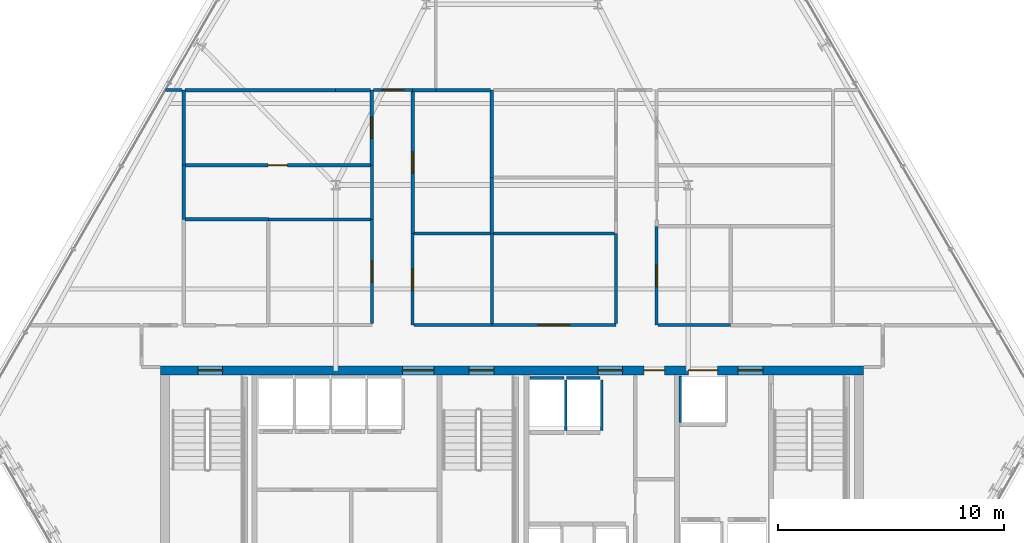
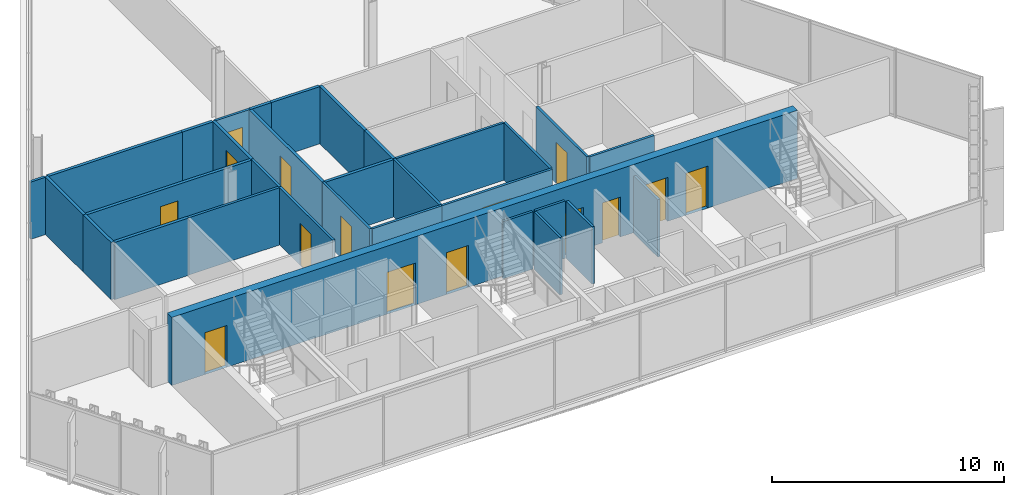
# One storey, part 28 of 34: 32 walls, 15 doors, 15 openings.
"""IFC4 building model written with IfcOpenShell, lengths in metres."""

from ifc_helpers import new_model, si_unit, direction, frame, frame_2d, origin, place, context, subcontext, project, spatial, rectangle, extrude, material, layer, layer_set, type_object, element, fill, save


model = new_model("IFC4")

# Units and contexts
model_context = context("Model", 3, precision=1e-05, world=origin(), true_north=direction((0.0, 1.0)))
body_context = subcontext(model_context, "Body", "Model", "MODEL_VIEW")
ifc_project = project(units=[si_unit("LENGTHUNIT", "METRE"), si_unit("AREAUNIT", "SQUARE_METRE"), si_unit("VOLUMEUNIT", "CUBIC_METRE"), si_unit("PLANEANGLEUNIT", "RADIAN"), si_unit("MASSUNIT", "GRAM", prefix="KILO")], contexts=[model_context])

# Site, building, storey
site_placement = place(None, origin())
site = spatial("IfcSite", under=ifc_project, at=site_placement, CompositionType="ELEMENT")
building_placement = place(site_placement, origin())
building = spatial("IfcBuilding", under=site, at=building_placement, Name="Ndaravel Arena Tower", CompositionType="ELEMENT")
storey_placement = place(building_placement, frame((0.0, 0.0, 191.60009765625)))
storey = spatial("IfcBuildingStorey", under=building, at=storey_placement, Name="L46", CompositionType="ELEMENT", Elevation=191.60009765625)

# Wall, openings, doors
ifc_material_1 = material(Name="Concrete C50/60", Category="concrete")
ifc_layer_1 = layer(ifc_material_1, 0.39990234375)
ifc_layer_set_1 = layer_set([ifc_layer_1], Name="Concrete C50/60")
wall_type_1 = type_object("IfcWallType", Name="WALL-CORE-400", PredefinedType="SOLIDWALL", material=ifc_layer_set_1)
wall_1_placement = place(storey_placement, frame((26.449951171875, 15.0, 0.0), z_axis=(0.0, 0.0, 1.0), x_axis=(1.0, 0.0, 0.0)))
wall_1 = element("IfcWall", 1, at=wall_1_placement, inside=storey, type_object=wall_type_1, Name="L46 Core North Shear Wall", PredefinedType="SOLIDWALL", context=body_context, shape_type="SweptSolid", body=[
    extrude(rectangle(XDim=31.10009765625, YDim=0.39990234375, at=frame_2d((15.550048828125, 0.0))), origin(), (0.0, 0.0, 1.0), 3.579833984375),
])
opening_1_placement = place(wall_1_placement, frame((1.64990234375, 0.0, 0.0)))
opening_1 = element("IfcOpeningElement", 2, at=opening_1_placement, cuts=wall_1, Name="Opening FD-01", PredefinedType="OPENING", context=body_context, shape_type="SweptSolid", body=[
    extrude(rectangle(XDim=1.10009765625, YDim=2.199951171875, at=frame_2d((0.550048828125, 1.10009765625))), frame((0.0, 0.199951171875, 0.0), z_axis=(0.0, -1.0, 0.0), x_axis=(1.0, 0.0, 0.0)), (0.0, 0.0, 1.0), 0.39990234375),
])
opening_2_placement = place(wall_1_placement, frame((13.64990234375, 0.0, 0.0)))
opening_2 = element("IfcOpeningElement", 3, at=opening_2_placement, cuts=wall_1, Name="Opening FD-01", PredefinedType="OPENING", context=body_context, shape_type="SweptSolid", body=[
    extrude(rectangle(XDim=1.10009765625, YDim=2.199951171875, at=frame_2d((0.550048828125, 1.10009765625))), frame((0.0, 0.199951171875, 0.0), z_axis=(0.0, -1.0, 0.0), x_axis=(1.0, 0.0, 0.0)), (0.0, 0.0, 1.0), 0.39990234375),
])
opening_3_placement = place(wall_1_placement, frame((25.550048828125, 0.0, 0.0)))
opening_3 = element("IfcOpeningElement", 4, at=opening_3_placement, cuts=wall_1, Name="Opening FD-01", PredefinedType="OPENING", context=body_context, shape_type="SweptSolid", body=[
    extrude(rectangle(XDim=1.10009765625, YDim=2.199951171875, at=frame_2d((0.550048828125, 1.10009765625))), frame((0.0, 0.199951171875, 0.0), z_axis=(0.0, -1.0, 0.0), x_axis=(1.0, 0.0, 0.0)), (0.0, 0.0, 1.0), 0.39990234375),
])
opening_4_placement = place(wall_1_placement, frame((10.699951171875, 0.0, 0.0)))
opening_4 = element("IfcOpeningElement", 5, at=opening_4_placement, cuts=wall_1, Name="Opening ID-02", PredefinedType="OPENING", context=body_context, shape_type="SweptSolid", body=[
    extrude(rectangle(XDim=1.39990234375, YDim=2.199951171875, at=frame_2d((0.699951171875, 1.10009765625))), frame((0.0, 0.199951171875, 0.0), z_axis=(0.0, -1.0, 0.0), x_axis=(1.0, 0.0, 0.0)), (0.0, 0.0, 1.0), 0.39990234375),
])
opening_5_placement = place(wall_1_placement, frame((19.35009765625, 0.0, 0.0)))
opening_5 = element("IfcOpeningElement", 6, at=opening_5_placement, cuts=wall_1, Name="Opening FD-01", PredefinedType="OPENING", context=body_context, shape_type="SweptSolid", body=[
    extrude(rectangle(XDim=1.10009765625, YDim=2.199951171875, at=frame_2d((0.550048828125, 1.10009765625))), frame((0.0, 0.199951171875, 0.0), z_axis=(0.0, -1.0, 0.0), x_axis=(1.0, 0.0, 0.0)), (0.0, 0.0, 1.0), 0.39990234375),
])
opening_6_placement = place(wall_1_placement, frame((21.39990234375, 0.0, 0.0)))
opening_6 = element("IfcOpeningElement", 7, at=opening_6_placement, cuts=wall_1, Name="Opening RD-01", PredefinedType="OPENING", context=body_context, shape_type="SweptSolid", body=[
    extrude(rectangle(XDim=0.89990234375, YDim=2.10009765625, at=frame_2d((0.449951171875, 1.050048828125))), frame((0.0, 0.199951171875, 0.0), z_axis=(0.0, -1.0, 0.0), x_axis=(1.0, 0.0, 0.0)), (0.0, 0.0, 1.0), 0.39990234375),
])
opening_7_placement = place(wall_1_placement, frame((23.35009765625, 0.0, 0.0)))
opening_7 = element("IfcOpeningElement", 8, at=opening_7_placement, cuts=wall_1, Name="Opening LD-02", PredefinedType="OPENING", context=body_context, shape_type="SweptSolid", body=[
    extrude(rectangle(XDim=1.300048828125, YDim=2.300048828125, at=frame_2d((0.64990234375, 1.14990234375))), frame((0.0, 0.199951171875, 0.0), z_axis=(0.0, -1.0, 0.0), x_axis=(1.0, 0.0, 0.0)), (0.0, 0.0, 1.0), 0.39990234375),
])
ifc_material_2 = material(Name="Steel S355", Category="steel")
door_type_1 = type_object("IfcDoorType", Name="DT-01-STAIR-1100", OperationType="SINGLE_SWING_LEFT", PredefinedType="DOOR", material=ifc_material_2)
door_1_placement = place(opening_1_placement, origin())
door_1 = element("IfcDoor", 9, at=door_1_placement, inside=storey, type_object=door_type_1, Name="L46 Exit Stair ST-1 Door", OperationType="SINGLE_SWING_LEFT", OverallHeight=2.199951171875, OverallWidth=1.10009765625, PredefinedType="DOOR", context=body_context, shape_type="SweptSolid", body=[
    extrude(rectangle(XDim=1.10009765625, YDim=2.199951171875, at=frame_2d((0.550048828125, 1.10009765625))), frame((0.0, 0.02490234375, 0.0), z_axis=(0.0, -1.0, 0.0), x_axis=(1.0, 0.0, 0.0)), (0.0, 0.0, 1.0), 0.050048828125),
])
fill(opening_1, door_1)
door_2_placement = place(opening_2_placement, origin())
door_2 = element("IfcDoor", 10, at=door_2_placement, inside=storey, type_object=door_type_1, Name="L46 Exit Stair ST-2 Door", OperationType="SINGLE_SWING_RIGHT", OverallHeight=2.199951171875, OverallWidth=1.10009765625, PredefinedType="DOOR", context=body_context, shape_type="SweptSolid", body=[
    extrude(rectangle(XDim=1.10009765625, YDim=2.199951171875, at=frame_2d((0.550048828125, 1.10009765625))), frame((0.0, 0.02490234375, 0.0), z_axis=(0.0, -1.0, 0.0), x_axis=(1.0, 0.0, 0.0)), (0.0, 0.0, 1.0), 0.050048828125),
])
fill(opening_2, door_2)
door_3_placement = place(opening_3_placement, origin())
door_3 = element("IfcDoor", 11, at=door_3_placement, inside=storey, type_object=door_type_1, Name="L46 Firefighting Lift Lobby Door", OperationType="SINGLE_SWING_RIGHT", OverallHeight=2.199951171875, OverallWidth=1.10009765625, PredefinedType="DOOR", context=body_context, shape_type="SweptSolid", body=[
    extrude(rectangle(XDim=1.10009765625, YDim=2.199951171875, at=frame_2d((0.550048828125, 1.10009765625))), frame((0.0, 0.02490234375, 0.0), z_axis=(0.0, -1.0, 0.0), x_axis=(1.0, 0.0, 0.0)), (0.0, 0.0, 1.0), 0.050048828125),
])
fill(opening_3, door_3)
door_4_placement = place(opening_5_placement, origin())
door_4 = element("IfcDoor", 12, at=door_4_placement, inside=storey, type_object=door_type_1, Name="L46 Express Lift Lobby Entry Door", OperationType="SINGLE_SWING_LEFT", OverallHeight=2.199951171875, OverallWidth=1.10009765625, PredefinedType="DOOR", context=body_context, shape_type="SweptSolid", body=[
    extrude(rectangle(XDim=1.10009765625, YDim=2.199951171875, at=frame_2d((0.550048828125, 1.10009765625))), frame((0.0, 0.02490234375, 0.0), z_axis=(0.0, -1.0, 0.0), x_axis=(1.0, 0.0, 0.0)), (0.0, 0.0, 1.0), 0.050048828125),
])
fill(opening_5, door_4)
ifc_material_3 = material(Name="Timber", Category="wood")
door_type_2 = type_object("IfcDoorType", Name="DT-04-SUITE-1400", OperationType="DOUBLE_DOOR_SINGLE_SWING", PredefinedType="DOOR", material=ifc_material_3)
door_5_placement = place(opening_4_placement, origin())
door_5 = element("IfcDoor", 13, at=door_5_placement, inside=storey, type_object=door_type_2, Name="L46 West Lift Lobby Entry Door", OperationType="DOUBLE_DOOR_SINGLE_SWING", OverallHeight=2.199951171875, OverallWidth=1.39990234375, PredefinedType="DOOR", context=body_context, shape_type="SweptSolid", body=[
    extrude(rectangle(XDim=1.39990234375, YDim=2.199951171875, at=frame_2d((0.699951171875, 1.10009765625))), frame((0.0, 0.02490234375, 0.0), z_axis=(0.0, -1.0, 0.0), x_axis=(1.0, 0.0, 0.0)), (0.0, 0.0, 1.0), 0.050048828125),
])
fill(opening_4, door_5)
ifc_material_4 = material(Name="Steel S355", Category="steel")
door_type_3 = type_object("IfcDoorType", Name="DT-07-SVLIFT-1300", OperationType="DOUBLE_DOOR_SLIDING", PredefinedType="DOOR", material=ifc_material_4)
door_6_placement = place(opening_7_placement, origin())
door_6 = element("IfcDoor", 14, at=door_6_placement, inside=storey, type_object=door_type_3, Name="L46 Lift SVL-1 Sliding Landing Door", OperationType="DOUBLE_DOOR_SLIDING", OverallHeight=2.300048828125, OverallWidth=1.300048828125, PredefinedType="DOOR", context=body_context, shape_type="SweptSolid", body=[
    extrude(rectangle(XDim=1.300048828125, YDim=2.300048828125, at=frame_2d((0.64990234375, 1.14990234375))), frame((0.0, 0.02490234375, 0.0), z_axis=(0.0, -1.0, 0.0), x_axis=(1.0, 0.0, 0.0)), (0.0, 0.0, 1.0), 0.050048828125),
])
fill(opening_7, door_6)
ifc_material_5 = material(Name="Steel S355", Category="steel")
door_type_4 = type_object("IfcDoorType", Name="DT-08-RISER-900", OperationType="SINGLE_SWING_LEFT", PredefinedType="DOOR", material=ifc_material_5)
door_7_placement = place(opening_6_placement, origin())
door_7 = element("IfcDoor", 15, at=door_7_placement, inside=storey, type_object=door_type_4, Name="L46 Core Service Riser North Door", OperationType="SINGLE_SWING_LEFT", OverallHeight=2.10009765625, OverallWidth=0.89990234375, PredefinedType="DOOR", context=body_context, shape_type="SweptSolid", body=[
    extrude(rectangle(XDim=0.89990234375, YDim=2.10009765625, at=frame_2d((0.449951171875, 1.050048828125))), frame((0.0, 0.02490234375, 0.0), z_axis=(0.0, -1.0, 0.0), x_axis=(1.0, 0.0, 0.0)), (0.0, 0.0, 1.0), 0.050048828125),
])
fill(opening_6, door_7)

# Wall, opening, door
ifc_material_6 = material(Name="Gypsum", Category="gypsum")
ifc_layer_2 = layer(ifc_material_6, 0.125)
ifc_layer_set_2 = layer_set([ifc_layer_2], Name="Gypsum")
wall_type_2 = type_object("IfcWallType", Name="WALL-PART-125", PredefinedType="PARTITIONING", material=ifc_layer_set_2)
wall_2_placement = place(storey_placement, frame((35.800048828125, 17.06494140625, 0.0), z_axis=(0.0, 0.0, 1.0), x_axis=(0.0, 1.0, 0.0)))
wall_2 = element("IfcWall", 16, at=wall_2_placement, inside=storey, type_object=wall_type_2, Name="L46 Interior Partition 008", PredefinedType="PARTITIONING", context=body_context, shape_type="SweptSolid", body=[
    extrude(rectangle(XDim=4.614990234375, YDim=0.125, at=frame_2d((2.3076171875, 0.0))), origin(), (0.0, 0.0, 1.0), 3.010498046875),
])
opening_8_placement = place(wall_2_placement, frame((1.83251953125, 0.0, 0.0)))
opening_8 = element("IfcOpeningElement", 17, at=opening_8_placement, cuts=wall_2, Name="Opening ID-01", PredefinedType="OPENING", context=body_context, shape_type="SweptSolid", body=[
    extrude(rectangle(XDim=0.949951171875, YDim=2.199951171875, at=frame_2d((0.47509765625, 1.10009765625))), frame((0.0, 0.0625, 0.0), z_axis=(0.0, -1.0, 0.0), x_axis=(1.0, 0.0, 0.0)), (0.0, 0.0, 1.0), 0.125),
])
ifc_material_7 = material(Name="Timber", Category="wood")
door_type_5 = type_object("IfcDoorType", Name="DT-03-OFFICE-950", OperationType="SINGLE_SWING_LEFT", PredefinedType="DOOR", material=ifc_material_7)
door_8_placement = place(opening_8_placement, origin())
door_8 = element("IfcDoor", 18, at=door_8_placement, inside=storey, type_object=door_type_5, Name="L46 Quiet Study Room 3 Door", OperationType="SINGLE_SWING_RIGHT", OverallHeight=2.199951171875, OverallWidth=0.949951171875, PredefinedType="DOOR", context=body_context, shape_type="SweptSolid", body=[
    extrude(rectangle(XDim=0.949951171875, YDim=2.199951171875, at=frame_2d((0.47509765625, 1.10009765625))), frame((0.0, 0.02490234375, 0.0), z_axis=(0.0, -1.0, 0.0), x_axis=(1.0, 0.0, 0.0)), (0.0, 0.0, 1.0), 0.050048828125),
])
fill(opening_8, door_8)

# Wall
wall_3_placement = place(storey_placement, frame((35.800048828125, 21.679931640625, 0.0), z_axis=(0.0, 0.0, 1.0), x_axis=(0.0, 1.0, 0.0)))
element("IfcWall", 19, at=wall_3_placement, inside=storey, type_object=wall_type_2, Name="L46 Interior Partition 009", PredefinedType="PARTITIONING", context=body_context, shape_type="SweptSolid", body=[
    extrude(rectangle(XDim=2.402587890625, YDim=0.125, at=frame_2d((1.201171875, 0.0))), origin(), (0.0, 0.0, 1.0), 3.010498046875),
])

# Wall, opening, door
wall_4_placement = place(storey_placement, frame((35.864990234375, 27.39990234375, 0.0), z_axis=(0.0, 0.0, 1.0), x_axis=(1.0, 0.0, 0.0)))
wall_4 = element("IfcWall", 20, at=wall_4_placement, inside=storey, type_object=wall_type_2, Name="L46 Interior Partition 011", PredefinedType="PARTITIONING", context=body_context, shape_type="SweptSolid", body=[
    extrude(rectangle(XDim=1.735107421875, YDim=0.125, at=frame_2d((0.86767578125, 0.0))), origin(), (0.0, 0.0, 1.0), 3.010498046875),
])
opening_9_placement = place(wall_4_placement, frame((0.392578125, 0.0, 0.0)))
opening_9 = element("IfcOpeningElement", 21, at=opening_9_placement, cuts=wall_4, Name="Opening ID-01", PredefinedType="OPENING", context=body_context, shape_type="SweptSolid", body=[
    extrude(rectangle(XDim=0.949951171875, YDim=2.199951171875, at=frame_2d((0.47509765625, 1.10009765625))), frame((0.0, 0.0625, 0.0), z_axis=(0.0, -1.0, 0.0), x_axis=(1.0, 0.0, 0.0)), (0.0, 0.0, 1.0), 0.125),
])
door_9_placement = place(opening_9_placement, origin())
door_9 = element("IfcDoor", 22, at=door_9_placement, inside=storey, type_object=door_type_5, Name="L46 Barista Galley 7 Door", OperationType="SINGLE_SWING_RIGHT", OverallHeight=2.199951171875, OverallWidth=0.949951171875, PredefinedType="DOOR", context=body_context, shape_type="SweptSolid", body=[
    extrude(rectangle(XDim=0.949951171875, YDim=2.199951171875, at=frame_2d((0.47509765625, 1.10009765625))), frame((0.0, 0.02490234375, 0.0), z_axis=(0.0, -1.0, 0.0), x_axis=(1.0, 0.0, 0.0)), (0.0, 0.0, 1.0), 0.050048828125),
])
fill(opening_9, door_9)

wall_5_placement = place(storey_placement, frame((37.60009765625, 21.055908203125, 0.0), z_axis=(0.0, 0.0, 1.0), x_axis=(0.0, -1.0, 0.0)))
wall_5 = element("IfcWall", 23, at=wall_5_placement, inside=storey, type_object=wall_type_2, Name="L46 Interior Partition 013", PredefinedType="PARTITIONING", context=body_context, shape_type="SweptSolid", body=[
    extrude(rectangle(XDim=4.055908203125, YDim=0.125, at=frame_2d((2.02783203125, 0.0))), origin(), (0.0, 0.0, 1.0), 3.010498046875),
])
opening_10_placement = place(wall_5_placement, frame((1.552978515625, 0.0, 0.0)))
opening_10 = element("IfcOpeningElement", 24, at=opening_10_placement, cuts=wall_5, Name="Opening ID-01", PredefinedType="OPENING", context=body_context, shape_type="SweptSolid", body=[
    extrude(rectangle(XDim=0.949951171875, YDim=2.199951171875, at=frame_2d((0.47509765625, 1.10009765625))), frame((0.0, 0.0625, 0.0), z_axis=(0.0, -1.0, 0.0), x_axis=(1.0, 0.0, 0.0)), (0.0, 0.0, 1.0), 0.125),
])
door_10_placement = place(opening_10_placement, origin())
door_10 = element("IfcDoor", 25, at=door_10_placement, inside=storey, type_object=door_type_5, Name="L46 Design Bookshop Boutique Door", OperationType="SINGLE_SWING_LEFT", OverallHeight=2.199951171875, OverallWidth=0.949951171875, PredefinedType="DOOR", context=body_context, shape_type="SweptSolid", body=[
    extrude(rectangle(XDim=0.949951171875, YDim=2.199951171875, at=frame_2d((0.47509765625, 1.10009765625))), frame((0.0, 0.02490234375, 0.0), z_axis=(0.0, -1.0, 0.0), x_axis=(1.0, 0.0, 0.0)), (0.0, 0.0, 1.0), 0.050048828125),
])
fill(opening_10, door_10)

# Wall
wall_6_placement = place(storey_placement, frame((37.6650390625, 17.0, 0.0), z_axis=(0.0, 0.0, 1.0), x_axis=(1.0, 0.0, 0.0)))
element("IfcWall", 26, at=wall_6_placement, inside=storey, type_object=wall_type_2, Name="L46 Interior Partition 014", PredefinedType="PARTITIONING", context=body_context, shape_type="SweptSolid", body=[
    extrude(rectangle(XDim=3.445068359375, YDim=0.125, at=frame_2d((1.72265625, 0.0))), origin(), (0.0, 0.0, 1.0), 3.010498046875),
])

# Wall, opening, door
wall_7_placement = place(storey_placement, frame((41.110107421875, 17.0, 0.0), z_axis=(0.0, 0.0, 1.0), x_axis=(1.0, 0.0, 0.0)))
wall_7 = element("IfcWall", 27, at=wall_7_placement, inside=storey, type_object=wall_type_2, Name="L46 Interior Partition 015", PredefinedType="PARTITIONING", context=body_context, shape_type="SweptSolid", body=[
    extrude(rectangle(XDim=5.489990234375, YDim=0.125, at=frame_2d((2.7451171875, 0.0))), origin(), (0.0, 0.0, 1.0), 3.010498046875),
])
opening_11_placement = place(wall_7_placement, frame((2.044921875, 0.0, 0.0)))
opening_11 = element("IfcOpeningElement", 28, at=opening_11_placement, cuts=wall_7, Name="Opening ID-02", PredefinedType="OPENING", context=body_context, shape_type="SweptSolid", body=[
    extrude(rectangle(XDim=1.39990234375, YDim=2.199951171875, at=frame_2d((0.699951171875, 1.10009765625))), frame((0.0, 0.0625, 0.0), z_axis=(0.0, -1.0, 0.0), x_axis=(1.0, 0.0, 0.0)), (0.0, 0.0, 1.0), 0.125),
])
door_11_placement = place(opening_11_placement, origin())
door_11 = element("IfcDoor", 29, at=door_11_placement, inside=storey, type_object=door_type_2, Name="L46 Executive Boardroom Door", OperationType="SINGLE_SWING_RIGHT", OverallHeight=2.199951171875, OverallWidth=1.39990234375, PredefinedType="DOOR", context=body_context, shape_type="SweptSolid", body=[
    extrude(rectangle(XDim=1.39990234375, YDim=2.199951171875, at=frame_2d((0.699951171875, 1.10009765625))), frame((0.0, 0.02490234375, 0.0), z_axis=(0.0, -1.0, 0.0), x_axis=(1.0, 0.0, 0.0)), (0.0, 0.0, 1.0), 0.050048828125),
])
fill(opening_11, door_11)

# Wall
wall_8_placement = place(storey_placement, frame((46.60009765625, 17.06494140625, 0.0), z_axis=(0.0, 0.0, 1.0), x_axis=(0.0, 1.0, 0.0)))
element("IfcWall", 30, at=wall_8_placement, inside=storey, type_object=wall_type_2, Name="L46 Interior Partition 016", PredefinedType="PARTITIONING", context=body_context, shape_type="SweptSolid", body=[
    extrude(rectangle(XDim=3.990966796875, YDim=0.125, at=frame_2d((1.99560546875, 0.0))), origin(), (0.0, 0.0, 1.0), 3.010498046875),
])

# Wall, opening, door
wall_9_placement = place(storey_placement, frame((48.39990234375, 21.367919921875, 0.0), z_axis=(0.0, 0.0, 1.0), x_axis=(0.0, -1.0, 0.0)))
wall_9 = element("IfcWall", 31, at=wall_9_placement, inside=storey, type_object=wall_type_2, Name="L46 Interior Partition 022", PredefinedType="PARTITIONING", context=body_context, shape_type="SweptSolid", body=[
    extrude(rectangle(XDim=4.367919921875, YDim=0.125, at=frame_2d((2.18408203125, 0.0))), origin(), (0.0, 0.0, 1.0), 3.010498046875),
])
opening_12_placement = place(wall_9_placement, frame((1.708984375, 0.0, 0.0)))
opening_12 = element("IfcOpeningElement", 32, at=opening_12_placement, cuts=wall_9, Name="Opening ID-01", PredefinedType="OPENING", context=body_context, shape_type="SweptSolid", body=[
    extrude(rectangle(XDim=0.949951171875, YDim=2.199951171875, at=frame_2d((0.47509765625, 1.10009765625))), frame((0.0, 0.0625, 0.0), z_axis=(0.0, -1.0, 0.0), x_axis=(1.0, 0.0, 0.0)), (0.0, 0.0, 1.0), 0.125),
])
door_12_placement = place(opening_12_placement, origin())
door_12 = element("IfcDoor", 33, at=door_12_placement, inside=storey, type_object=door_type_5, Name="L46 Hospitality Sitting Room 2 Door", OperationType="SINGLE_SWING_LEFT", OverallHeight=2.199951171875, OverallWidth=0.949951171875, PredefinedType="DOOR", context=body_context, shape_type="SweptSolid", body=[
    extrude(rectangle(XDim=0.949951171875, YDim=2.199951171875, at=frame_2d((0.47509765625, 1.10009765625))), frame((0.0, 0.02490234375, 0.0), z_axis=(0.0, -1.0, 0.0), x_axis=(1.0, 0.0, 0.0)), (0.0, 0.0, 1.0), 0.050048828125),
])
fill(opening_12, door_12)

# Walls
wall_10_placement = place(storey_placement, frame((48.465087890625, 17.0, 0.0), z_axis=(0.0, 0.0, 1.0), x_axis=(1.0, 0.0, 0.0)))
element("IfcWall", 34, at=wall_10_placement, inside=storey, type_object=wall_type_2, Name="L46 Interior Partition 023", PredefinedType="PARTITIONING", context=body_context, shape_type="SweptSolid", body=[
    extrude(rectangle(XDim=3.2109375, YDim=0.125, at=frame_2d((1.60546875, 0.0))), origin(), (0.0, 0.0, 1.0), 3.010498046875),
])
wall_11_placement = place(storey_placement, frame((41.110107421875, 21.055908203125, 0.0), z_axis=(0.0, 0.0, 1.0), x_axis=(0.0, -1.0, 0.0)))
element("IfcWall", 35, at=wall_11_placement, inside=storey, type_object=wall_type_2, Name="L46 Interior Partition 028", PredefinedType="PARTITIONING", context=body_context, shape_type="SweptSolid", body=[
    extrude(rectangle(XDim=3.990966796875, YDim=0.125, at=frame_2d((1.99560546875, 0.0))), origin(), (0.0, 0.0, 1.0), 3.010498046875),
])
wall_12_placement = place(storey_placement, frame((41.175048828125, 21.055908203125, 0.0), z_axis=(0.0, 0.0, 1.0), x_axis=(1.0, 0.0, 0.0)))
element("IfcWall", 36, at=wall_12_placement, inside=storey, type_object=wall_type_2, Name="L46 Interior Partition 030", PredefinedType="PARTITIONING", context=body_context, shape_type="SweptSolid", body=[
    extrude(rectangle(XDim=5.35986328125, YDim=0.125, at=frame_2d((2.679931640625, 0.0))), origin(), (0.0, 0.0, 1.0), 3.010498046875),
])
wall_13_placement = place(storey_placement, frame((31.220458984375, 21.679931640625, 0.0), z_axis=(0.0, 0.0, 1.0), x_axis=(1.0, 0.0, 0.0)))
element("IfcWall", 37, at=wall_13_placement, inside=storey, type_object=wall_type_2, Name="L46 Interior Partition 038", PredefinedType="PARTITIONING", context=body_context, shape_type="SweptSolid", body=[
    extrude(rectangle(XDim=4.5146484375, YDim=0.125, at=frame_2d((2.25732421875, 0.0))), origin(), (0.0, 0.0, 1.0), 3.010498046875),
])
wall_14_placement = place(storey_placement, frame((27.40869140625, 27.39990234375, 0.0), z_axis=(0.0, 0.0, 1.0), x_axis=(-1.0, 0.0, 0.0)))
element("IfcWall", 38, at=wall_14_placement, inside=storey, type_object=wall_type_2, Name="L46 Interior Partition 055", PredefinedType="PARTITIONING", context=body_context, shape_type="SweptSolid", body=[
    extrude(rectangle(XDim=0.7431640625, YDim=0.125, at=frame_2d((0.37158203125, 0.0))), origin(), (0.0, 0.0, 1.0), 3.010498046875),
])
ifc_material_8 = material(Name="Concrete C40/50", Category="concrete")
ifc_layer_3 = layer(ifc_material_8, 0.1201171875)
ifc_layer_set_3 = layer_set([ifc_layer_3], Name="Concrete C40/50")
wall_type_3 = type_object("IfcWallType", Name="WALL-SHAFT-120", PredefinedType="SOLIDWALL", material=ifc_layer_set_3)
wall_15_placement = place(storey_placement, frame((42.804931640625, 14.659912109375, 0.0), z_axis=(0.0, 0.0, 1.0), x_axis=(1.0, 0.0, 0.0)))
element("IfcWall", 39, at=wall_15_placement, inside=storey, type_object=wall_type_3, Name="L46 PL-OBS1 Shaft Rear Wall", PredefinedType="SOLIDWALL", context=body_context, shape_type="SweptSolid", body=[
    extrude(rectangle(XDim=1.489990234375, YDim=0.1201171875, at=frame_2d((0.7451171875, 0.0))), origin(), (0.0, 0.0, 1.0), 3.010498046875),
])
wall_16_placement = place(storey_placement, frame((44.375, 12.340087890625, 0.0), z_axis=(0.0, 0.0, 1.0), x_axis=(0.0, 1.0, 0.0)))
element("IfcWall", 40, at=wall_16_placement, inside=storey, type_object=wall_type_3, Name="L46 PL-OBS1 Shaft Side R Wall", PredefinedType="SOLIDWALL", context=body_context, shape_type="SweptSolid", body=[
    extrude(rectangle(XDim=2.22998046875, YDim=0.1201171875, at=frame_2d((1.114990234375, 0.0))), origin(), (0.0, 0.0, 1.0), 3.010498046875),
])
wall_17_placement = place(storey_placement, frame((44.405029296875, 14.659912109375, 0.0), z_axis=(0.0, 0.0, 1.0), x_axis=(1.0, 0.0, 0.0)))
element("IfcWall", 41, at=wall_17_placement, inside=storey, type_object=wall_type_3, Name="L46 PL-OBS2 Shaft Rear Wall", PredefinedType="SOLIDWALL", context=body_context, shape_type="SweptSolid", body=[
    extrude(rectangle(XDim=1.489990234375, YDim=0.1201171875, at=frame_2d((0.7451171875, 0.0))), origin(), (0.0, 0.0, 1.0), 3.010498046875),
])
wall_18_placement = place(storey_placement, frame((45.97509765625, 12.340087890625, 0.0), z_axis=(0.0, 0.0, 1.0), x_axis=(0.0, 1.0, 0.0)))
element("IfcWall", 42, at=wall_18_placement, inside=storey, type_object=wall_type_3, Name="L46 PL-OBS2 Shaft Side R Wall", PredefinedType="SOLIDWALL", context=body_context, shape_type="SweptSolid", body=[
    extrude(rectangle(XDim=2.22998046875, YDim=0.1201171875, at=frame_2d((1.114990234375, 0.0))), origin(), (0.0, 0.0, 1.0), 3.010498046875),
])
wall_19_placement = place(storey_placement, frame((49.43994140625, 12.68994140625, 0.0), z_axis=(0.0, 0.0, 1.0), x_axis=(0.0, 1.0, 0.0)))
element("IfcWall", 43, at=wall_19_placement, inside=storey, type_object=wall_type_3, Name="L46 SVL-1 Shaft W Wall", PredefinedType="SOLIDWALL", context=body_context, shape_type="SweptSolid", body=[
    extrude(rectangle(XDim=2.070068359375, YDim=0.1201171875, at=frame_2d((1.03515625, 0.0))), origin(), (0.0, 0.0, 1.0), 3.010498046875),
])

# Wall, opening, door
ifc_material_9 = material(Name="Masonry", Category="masonry")
ifc_layer_4 = layer(ifc_material_9, 0.14990234375)
ifc_layer_set_4 = layer_set([ifc_layer_4], Name="Masonry")
wall_type_4 = type_object("IfcWallType", Name="WALL-WET-150", PredefinedType="PARTITIONING", material=ifc_layer_set_4)
wall_20_placement = place(storey_placement, frame((35.800048828125, 24.08251953125, 0.0), z_axis=(0.0, 0.0, 1.0), x_axis=(0.0, 1.0, 0.0)))
wall_20 = element("IfcWall", 44, at=wall_20_placement, inside=storey, type_object=wall_type_4, Name="L46 Interior Partition 010", PredefinedType="PARTITIONING", context=body_context, shape_type="SweptSolid", body=[
    extrude(rectangle(XDim=3.3173828125, YDim=0.14990234375, at=frame_2d((1.65869140625, 0.0))), origin(), (0.0, 0.0, 1.0), 3.010498046875),
])
opening_13_placement = place(wall_20_placement, frame((1.183837890625, 0.0, 0.0)))
opening_13 = element("IfcOpeningElement", 45, at=opening_13_placement, cuts=wall_20, Name="Opening FD-03", PredefinedType="OPENING", context=body_context, shape_type="SweptSolid", body=[
    extrude(rectangle(XDim=0.949951171875, YDim=2.199951171875, at=frame_2d((0.47509765625, 1.10009765625))), frame((0.0, 0.074951171875, 0.0), z_axis=(0.0, -1.0, 0.0), x_axis=(1.0, 0.0, 0.0)), (0.0, 0.0, 1.0), 0.14990234375),
])
ifc_material_10 = material(Name="Steel S355", Category="steel")
door_type_6 = type_object("IfcDoorType", Name="DT-11-CORE-950", OperationType="SINGLE_SWING_LEFT", PredefinedType="DOOR", material=ifc_material_10)
door_13_placement = place(opening_13_placement, origin())
door_13 = element("IfcDoor", 46, at=door_13_placement, inside=storey, type_object=door_type_6, Name="L46 Catering Pantry 6 Door", OperationType="SINGLE_SWING_RIGHT", OverallHeight=2.199951171875, OverallWidth=0.949951171875, PredefinedType="DOOR", context=body_context, shape_type="SweptSolid", body=[
    extrude(rectangle(XDim=0.949951171875, YDim=2.199951171875, at=frame_2d((0.47509765625, 1.10009765625))), frame((0.0, 0.02490234375, 0.0), z_axis=(0.0, -1.0, 0.0), x_axis=(1.0, 0.0, 0.0)), (0.0, 0.0, 1.0), 0.050048828125),
])
fill(opening_13, door_13)

wall_21_placement = place(storey_placement, frame((37.60009765625, 27.3349609375, 0.0), z_axis=(0.0, 0.0, 1.0), x_axis=(0.0, -1.0, 0.0)))
wall_21 = element("IfcWall", 47, at=wall_21_placement, inside=storey, type_object=wall_type_4, Name="L46 Interior Partition 012", PredefinedType="PARTITIONING", context=body_context, shape_type="SweptSolid", body=[
    extrude(rectangle(XDim=6.279052734375, YDim=0.14990234375, at=frame_2d((3.1396484375, 0.0))), origin(), (0.0, 0.0, 1.0), 3.010498046875),
])
opening_14_placement = place(wall_21_placement, frame((2.66455078125, 0.0, 0.0)))
opening_14 = element("IfcOpeningElement", 48, at=opening_14_placement, cuts=wall_21, Name="Opening FD-03", PredefinedType="OPENING", context=body_context, shape_type="SweptSolid", body=[
    extrude(rectangle(XDim=0.949951171875, YDim=2.199951171875, at=frame_2d((0.47509765625, 1.10009765625))), frame((0.0, 0.074951171875, 0.0), z_axis=(0.0, -1.0, 0.0), x_axis=(1.0, 0.0, 0.0)), (0.0, 0.0, 1.0), 0.14990234375),
])
door_14_placement = place(opening_14_placement, origin())
door_14 = element("IfcDoor", 49, at=door_14_placement, inside=storey, type_object=door_type_6, Name="L46 Staff Espresso Kitchen 5 Door", OperationType="SINGLE_SWING_RIGHT", OverallHeight=2.199951171875, OverallWidth=0.949951171875, PredefinedType="DOOR", context=body_context, shape_type="SweptSolid", body=[
    extrude(rectangle(XDim=0.949951171875, YDim=2.199951171875, at=frame_2d((0.47509765625, 1.10009765625))), frame((0.0, 0.02490234375, 0.0), z_axis=(0.0, -1.0, 0.0), x_axis=(1.0, 0.0, 0.0)), (0.0, 0.0, 1.0), 0.050048828125),
])
fill(opening_14, door_14)

# Walls
wall_22_placement = place(storey_placement, frame((37.6650390625, 21.055908203125, 0.0), z_axis=(0.0, 0.0, 1.0), x_axis=(1.0, 0.0, 0.0)))
element("IfcWall", 50, at=wall_22_placement, inside=storey, type_object=wall_type_4, Name="L46 Interior Partition 029", PredefinedType="PARTITIONING", context=body_context, shape_type="SweptSolid", body=[
    extrude(rectangle(XDim=3.3798828125, YDim=0.14990234375, at=frame_2d((1.68994140625, 0.0))), origin(), (0.0, 0.0, 1.0), 3.010498046875),
])
wall_23_placement = place(storey_placement, frame((27.53857421875, 21.679931640625, 0.0), z_axis=(0.0, 0.0, 1.0), x_axis=(1.0, 0.0, 0.0)))
element("IfcWall", 51, at=wall_23_placement, inside=storey, type_object=wall_type_4, Name="L46 Interior Partition 036", PredefinedType="PARTITIONING", context=body_context, shape_type="SweptSolid", body=[
    extrude(rectangle(XDim=3.681884765625, YDim=0.14990234375, at=frame_2d((1.8408203125, 0.0))), origin(), (0.0, 0.0, 1.0), 3.010498046875),
])
wall_24_placement = place(storey_placement, frame((27.4736328125, 27.39990234375, 0.0), z_axis=(0.0, 0.0, 1.0), x_axis=(0.0, -1.0, 0.0)))
element("IfcWall", 52, at=wall_24_placement, inside=storey, type_object=wall_type_4, Name="L46 Interior Partition 039", PredefinedType="PARTITIONING", context=body_context, shape_type="SweptSolid", body=[
    extrude(rectangle(XDim=3.3173828125, YDim=0.14990234375, at=frame_2d((1.65869140625, 0.0))), origin(), (0.0, 0.0, 1.0), 3.010498046875),
])
wall_25_placement = place(storey_placement, frame((27.4736328125, 24.08251953125, 0.0), z_axis=(0.0, 0.0, 1.0), x_axis=(0.0, -1.0, 0.0)))
element("IfcWall", 53, at=wall_25_placement, inside=storey, type_object=wall_type_4, Name="L46 Interior Partition 040", PredefinedType="PARTITIONING", context=body_context, shape_type="SweptSolid", body=[
    extrude(rectangle(XDim=2.402587890625, YDim=0.14990234375, at=frame_2d((1.201171875, 0.0))), origin(), (0.0, 0.0, 1.0), 3.010498046875),
])
wall_26_placement = place(storey_placement, frame((41.110107421875, 21.055908203125, 0.0), z_axis=(0.0, 0.0, 1.0), x_axis=(0.0, 1.0, 0.0)))
element("IfcWall", 54, at=wall_26_placement, inside=storey, type_object=wall_type_4, Name="L46 Interior Partition 044", PredefinedType="PARTITIONING", context=body_context, shape_type="SweptSolid", body=[
    extrude(rectangle(XDim=2.474365234375, YDim=0.14990234375, at=frame_2d((1.2373046875, 0.0))), origin(), (0.0, 0.0, 1.0), 3.010498046875),
])

# Wall, opening, door
wall_27_placement = place(storey_placement, frame((27.53857421875, 24.08251953125, 0.0), z_axis=(0.0, 0.0, 1.0), x_axis=(1.0, 0.0, 0.0)))
wall_27 = element("IfcWall", 55, at=wall_27_placement, inside=storey, type_object=wall_type_4, Name="L46 Interior Partition 047", PredefinedType="PARTITIONING", context=body_context, shape_type="SweptSolid", body=[
    extrude(rectangle(XDim=8.196533203125, YDim=0.14990234375, at=frame_2d((4.09814453125, 0.0))), origin(), (0.0, 0.0, 1.0), 3.010498046875),
])
opening_15_placement = place(wall_27_placement, frame((3.673095703125, 0.0, 0.0)))
opening_15 = element("IfcOpeningElement", 56, at=opening_15_placement, cuts=wall_27, Name="Opening ID-03", PredefinedType="OPENING", context=body_context, shape_type="SweptSolid", body=[
    extrude(rectangle(XDim=0.85009765625, YDim=2.14990234375, at=frame_2d((0.425048828125, 1.074951171875))), frame((0.0, 0.074951171875, 0.0), z_axis=(0.0, -1.0, 0.0), x_axis=(1.0, 0.0, 0.0)), (0.0, 0.0, 1.0), 0.14990234375),
])
ifc_material_11 = material(Name="Timber", Category="wood")
door_type_7 = type_object("IfcDoorType", Name="DT-12-SUB-850", OperationType="SINGLE_SWING_LEFT", PredefinedType="DOOR", material=ifc_material_11)
door_15_placement = place(opening_15_placement, origin())
door_15 = element("IfcDoor", 57, at=door_15_placement, inside=storey, type_object=door_type_7, Name="L46 Collaborative Lounge 5 Door", OperationType="SINGLE_SWING_LEFT", OverallHeight=2.14990234375, OverallWidth=0.85009765625, PredefinedType="DOOR", context=body_context, shape_type="SweptSolid", body=[
    extrude(rectangle(XDim=0.85009765625, YDim=2.14990234375, at=frame_2d((0.425048828125, 1.074951171875))), frame((0.0, 0.02490234375, 0.0), z_axis=(0.0, -1.0, 0.0), x_axis=(1.0, 0.0, 0.0)), (0.0, 0.0, 1.0), 0.050048828125),
])
fill(opening_15, door_15)

# Walls
wall_28_placement = place(storey_placement, frame((41.110107421875, 27.39990234375, 0.0), z_axis=(0.0, 0.0, 1.0), x_axis=(0.0, -1.0, 0.0)))
element("IfcWall", 58, at=wall_28_placement, inside=storey, type_object=wall_type_4, Name="L46 Interior Partition 048", PredefinedType="PARTITIONING", context=body_context, shape_type="SweptSolid", body=[
    extrude(rectangle(XDim=3.86962890625, YDim=0.14990234375, at=frame_2d((1.934814453125, 0.0))), origin(), (0.0, 0.0, 1.0), 3.010498046875),
])
wall_29_placement = place(storey_placement, frame((37.60009765625, 27.39990234375, 0.0), z_axis=(0.0, 0.0, 1.0), x_axis=(1.0, 0.0, 0.0)))
element("IfcWall", 59, at=wall_29_placement, inside=storey, type_object=wall_type_4, Name="L46 Interior Partition 049", PredefinedType="PARTITIONING", context=body_context, shape_type="SweptSolid", body=[
    extrude(rectangle(XDim=1.0263671875, YDim=0.14990234375, at=frame_2d((0.51318359375, 0.0))), origin(), (0.0, 0.0, 1.0), 3.010498046875),
])
wall_30_placement = place(storey_placement, frame((38.62646484375, 27.39990234375, 0.0), z_axis=(0.0, 0.0, 1.0), x_axis=(1.0, 0.0, 0.0)))
element("IfcWall", 60, at=wall_30_placement, inside=storey, type_object=wall_type_4, Name="L46 Interior Partition 050", PredefinedType="PARTITIONING", context=body_context, shape_type="SweptSolid", body=[
    extrude(rectangle(XDim=2.41845703125, YDim=0.14990234375, at=frame_2d((1.209228515625, 0.0))), origin(), (0.0, 0.0, 1.0), 3.010498046875),
])
wall_31_placement = place(storey_placement, frame((27.53857421875, 27.39990234375, 0.0), z_axis=(0.0, 0.0, 1.0), x_axis=(1.0, 0.0, 0.0)))
element("IfcWall", 61, at=wall_31_placement, inside=storey, type_object=wall_type_4, Name="L46 Interior Partition 052", PredefinedType="PARTITIONING", context=body_context, shape_type="SweptSolid", body=[
    extrude(rectangle(XDim=6.661376953125, YDim=0.14990234375, at=frame_2d((3.33056640625, 0.0))), origin(), (0.0, 0.0, 1.0), 3.010498046875),
])
wall_32_placement = place(storey_placement, frame((34.199951171875, 27.39990234375, 0.0), z_axis=(0.0, 0.0, 1.0), x_axis=(1.0, 0.0, 0.0)))
element("IfcWall", 62, at=wall_32_placement, inside=storey, type_object=wall_type_4, Name="L46 Interior Partition 053", PredefinedType="PARTITIONING", context=body_context, shape_type="SweptSolid", body=[
    extrude(rectangle(XDim=1.53515625, YDim=0.14990234375, at=frame_2d((0.767578125, 0.0))), origin(), (0.0, 0.0, 1.0), 3.010498046875),
])

save(model, "model.ifc")
